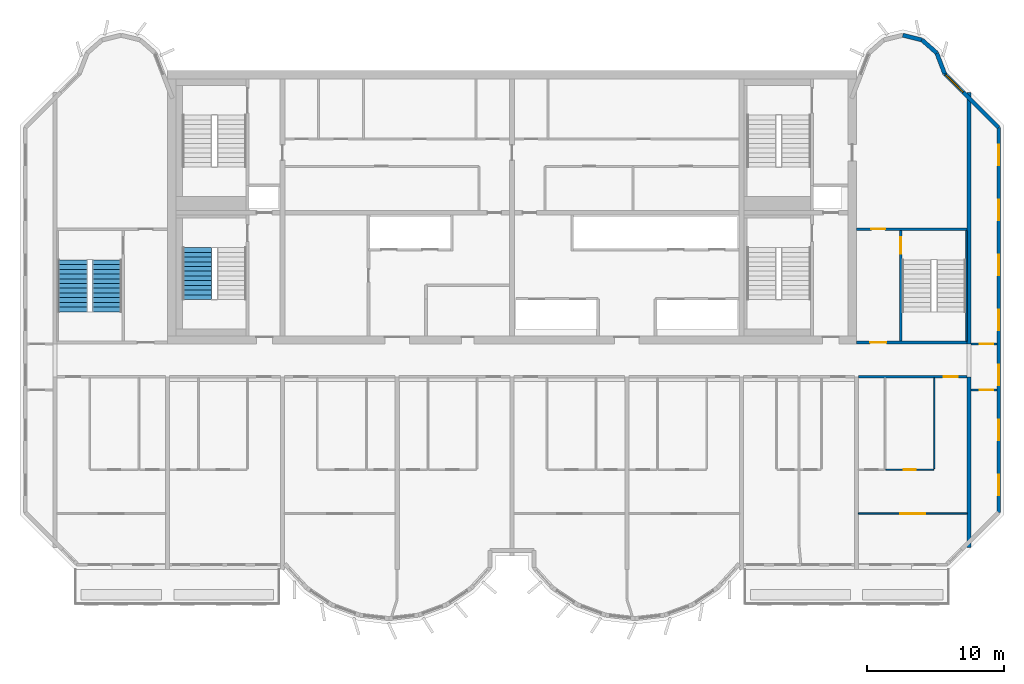
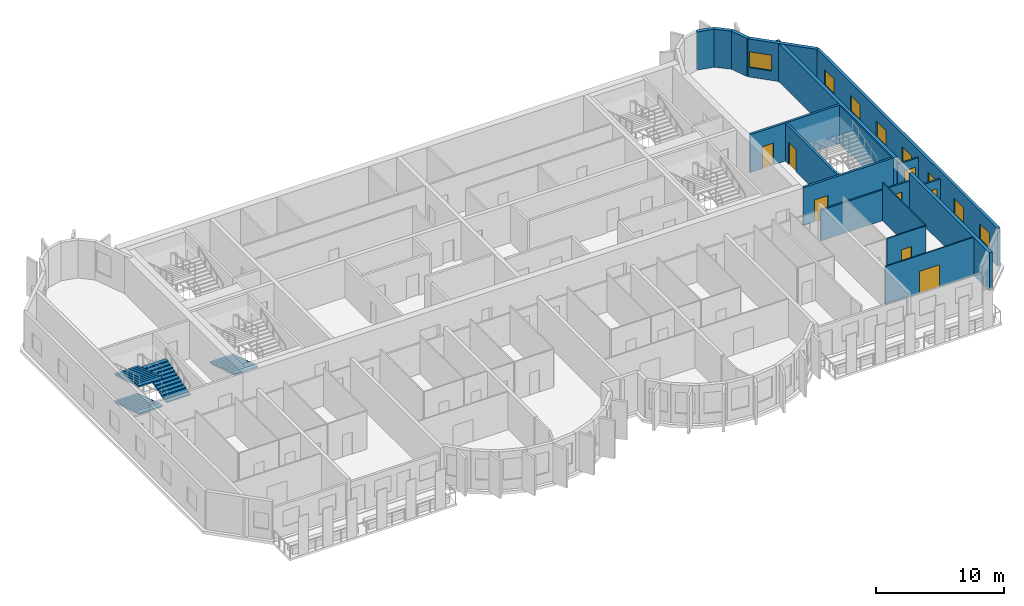
# One storey, part 8 of 11: 17 walls, 8 doors, 8 windows, 4 stair flights, 16 openings, 2 elements without a shape of their own.
"""IFC4 building model written with IfcOpenShell, lengths in metres."""

from ifc_helpers import new_model, si_unit, direction, frame, frame_2d, origin, place, context, subcontext, project, spatial, polyline, rectangle, outline, extrude, source, transform, mapped, material, layer, layer_set, type_object, element, fill, aggregate, save


model = new_model("IFC4")

# Units and contexts
model_context = context("Model", 3, precision=1e-05, world=origin(), true_north=direction((0.0, 1.0)))
body_context = subcontext(model_context, "Body", "Model", "MODEL_VIEW")
ifc_project = project(units=[si_unit("LENGTHUNIT", "METRE"), si_unit("AREAUNIT", "SQUARE_METRE"), si_unit("VOLUMEUNIT", "CUBIC_METRE"), si_unit("PLANEANGLEUNIT", "RADIAN"), si_unit("MASSUNIT", "GRAM", prefix="KILO")], contexts=[model_context])

# Site, building, storey
site_placement = place(None, origin())
site = spatial("IfcSite", under=ifc_project, at=site_placement, CompositionType="ELEMENT")
building_placement = place(site_placement, origin())
building = spatial("IfcBuilding", under=site, at=building_placement, Name="Vanashikhar Sky Hotel", CompositionType="ELEMENT")
storey_placement = place(building_placement, frame((0.0, 0.0, 249.10009765625)))
storey = spatial("IfcBuildingStorey", under=building, at=storey_placement, Name="L60", CompositionType="ELEMENT", Elevation=249.10009765625)

# Walls
ifc_material_1 = material(Name="Concrete M60", Category="concrete")
ifc_layer_1 = layer(ifc_material_1, 0.300048828125)
ifc_layer_set_1 = layer_set([ifc_layer_1], Name="RC shear wall 300 Concrete M60")
wall_type_1 = type_object("IfcWallType", Name="RC shear wall 300 Concrete M60", PredefinedType="SHEAR", material=ifc_layer_set_1)
shared_shape_1 = source(origin(), body_context, "Body", "SweptSolid", [
    extrude(rectangle(XDim=12.5, YDim=0.300048828125, at=frame_2d((6.25, 0.0))), origin(), (0.0, 0.0, 1.0), 3.619873046875),
])
wall_1_placement = place(storey_placement, frame((83.85009765625, 7.10009765625, 0.0), z_axis=(0.0, 0.0, 1.0), x_axis=(0.0, 1.0, 0.0)))
element("IfcWall", 1, at=wall_1_placement, inside=storey, type_object=wall_type_1, Name="CW-L60-XW11-1", PredefinedType="SHEAR", context=body_context, shape_type="MappedRepresentation", body=[
    mapped(shared_shape_1, transform((0.0, 0.0, 0.0), scale=1.0)),
])
shared_shape_2 = source(origin(), body_context, "Body", "SweptSolid", [
    extrude(rectangle(XDim=18.39990234375, YDim=0.300048828125, at=frame_2d((9.199951171875, 0.0))), origin(), (0.0, 0.0, 1.0), 3.619873046875),
])
wall_2_placement = place(storey_placement, frame((83.85009765625, 22.0, 0.0), z_axis=(0.0, 0.0, 1.0), x_axis=(0.0, 1.0, 0.0)))
element("IfcWall", 2, at=wall_2_placement, inside=storey, type_object=wall_type_1, Name="CW-L60-XW11-2", PredefinedType="SHEAR", context=body_context, shape_type="MappedRepresentation", body=[
    mapped(shared_shape_2, transform((0.0, 0.0, 0.0), scale=1.0)),
])

# Wall, opening, window
ifc_material_2 = material(Name="Concrete M50", Category="concrete")
ifc_layer_2 = layer(ifc_material_2, 0.300048828125)
ifc_layer_set_2 = layer_set([ifc_layer_2], Name="Lobe wall 300")
wall_type_2 = type_object("IfcWallType", Name="Lobe wall 300", PredefinedType="SOLIDWALL", material=ifc_layer_set_2)
shared_shape_3 = source(origin(), body_context, "Body", "SweptSolid", [
    extrude(rectangle(XDim=5.576416015625, YDim=0.300048828125, at=frame_2d((2.7880859375, 0.0))), origin(), (0.0, 0.0, 1.0), 3.619873046875),
])
wall_3_placement = place(storey_placement, frame((86.0, 37.834228515625, 0.0), z_axis=(0.0, 0.0, 1.0), x_axis=(-0.707106781187, 0.707106781187, 0.0)))
wall_3 = element("IfcWall", 3, at=wall_3_placement, inside=storey, type_object=wall_type_2, Name="Corner wall", PredefinedType="SOLIDWALL", context=body_context, shape_type="MappedRepresentation", body=[
    mapped(shared_shape_3, transform((0.0, 0.0, 0.0), scale=1.0)),
])
shared_shape_4 = source(origin(), body_context, "Body", "SweptSolid", [
    extrude(rectangle(XDim=1.800048828125, YDim=1.5, at=frame_2d((0.89990234375, 0.75))), frame((0.0, 0.16015625, 0.0), z_axis=(0.0, -1.0, 0.0), x_axis=(1.0, 0.0, 0.0)), (0.0, 0.0, 1.0), 0.320068359375),
])
opening_1_placement = place(wall_3_placement, frame((3.658447265625, 0.0, 0.89990234375)))
opening_1 = element("IfcOpeningElement", 4, at=opening_1_placement, cuts=wall_3, Name="Opening WN-4", PredefinedType="OPENING", context=body_context, shape_type="MappedRepresentation", body=[
    mapped(shared_shape_4, transform((0.0, 0.0, 0.0), scale=1.0)),
])
ifc_material_3 = material(Name="Glass", Category="glass")
window_type_1 = type_object("IfcWindowType", Name="Corner window 1800 x 1500", PartitioningType="SINGLE_PANEL", PredefinedType="WINDOW", material=ifc_material_3)
shared_shape_5 = source(origin(), body_context, "Body", "SweptSolid", [
    extrude(rectangle(XDim=1.800048828125, YDim=1.5, at=frame_2d((0.89990234375, 0.75))), frame((0.0, 0.030029296875, 0.0), z_axis=(0.0, -1.0, 0.0), x_axis=(1.0, 0.0, 0.0)), (0.0, 0.0, 1.0), 0.06005859375),
])
window_1_placement = place(opening_1_placement, origin())
window_1 = element("IfcWindow", 5, at=window_1_placement, inside=storey, type_object=window_type_1, Name="Window WN-4", OverallHeight=1.5, OverallWidth=1.800048828125, PartitioningType="SINGLE_PANEL", PredefinedType="WINDOW", context=body_context, shape_type="MappedRepresentation", body=[
    mapped(shared_shape_5, transform((0.0, 0.0, 0.0), scale=1.0)),
])
fill(opening_1, window_1)

# Walls
shared_shape_6 = source(origin(), body_context, "Body", "SweptSolid", [
    extrude(rectangle(XDim=1.438720703125, YDim=0.300048828125, at=frame_2d((0.71923828125, 0.0))), origin(), (0.0, 0.0, 1.0), 3.619873046875),
])
wall_4_placement = place(storey_placement, frame((80.397216796875, 44.2451171875, 0.0), z_axis=(0.0, 0.0, 1.0), x_axis=(-0.971161932466, 0.238420848351, 0.0)))
element("IfcWall", 6, at=wall_4_placement, inside=storey, type_object=wall_type_2, Name="Lobe wall", PredefinedType="SOLIDWALL", context=body_context, shape_type="MappedRepresentation", body=[
    mapped(shared_shape_6, transform((0.0, 0.0, 0.0), scale=1.0)),
])
shared_shape_7 = source(origin(), body_context, "Body", "SweptSolid", [
    extrude(rectangle(XDim=1.43994140625, YDim=0.300048828125, at=frame_2d((0.719970703125, 0.0))), origin(), (0.0, 0.0, 1.0), 3.619873046875),
])
wall_5_placement = place(storey_placement, frame((81.4765625, 43.2919921875, 0.0), z_axis=(0.0, 0.0, 1.0), x_axis=(-0.74957555648, 0.661918790432, 0.0)))
element("IfcWall", 7, at=wall_5_placement, inside=storey, type_object=wall_type_2, Name="Lobe wall", PredefinedType="SOLIDWALL", context=body_context, shape_type="MappedRepresentation", body=[
    mapped(shared_shape_7, transform((0.0, 0.0, 0.0), scale=1.0)),
])
shared_shape_8 = source(origin(), body_context, "Body", "SweptSolid", [
    extrude(rectangle(XDim=1.6220703125, YDim=0.300048828125, at=frame_2d((0.81103515625, 0.0))), origin(), (0.0, 0.0, 1.0), 3.619873046875),
])
wall_6_placement = place(storey_placement, frame((82.056884765625, 41.77734375, 0.0), z_axis=(0.0, 0.0, 1.0), x_axis=(-0.357778527068, 0.933806471154, 0.0)))
element("IfcWall", 8, at=wall_6_placement, inside=storey, type_object=wall_type_2, Name="Lobe wall", PredefinedType="SOLIDWALL", context=body_context, shape_type="MappedRepresentation", body=[
    mapped(shared_shape_8, transform((0.0, 0.0, 0.0), scale=1.0)),
])

# Wall, openings, windows
ifc_layer_3 = layer(ifc_material_2, 0.25)
ifc_layer_set_3 = layer_set([ifc_layer_3], Name="Rear and end board-marked wall 250")
wall_type_3 = type_object("IfcWallType", Name="Rear and end board-marked wall 250", PredefinedType="SOLIDWALL", material=ifc_layer_set_3)
shared_shape_9 = source(origin(), body_context, "Body", "SweptSolid", [
    extrude(rectangle(XDim=28.189453125, YDim=0.25, at=frame_2d((14.0947265625, 0.0))), origin(), (0.0, 0.0, 1.0), 3.619873046875),
])
wall_7_placement = place(storey_placement, frame((86.02490234375, 9.6552734375, 0.0), z_axis=(0.0, 0.0, 1.0), x_axis=(0.0, 1.0, 0.0)))
wall_7 = element("IfcWall", 9, at=wall_7_placement, inside=storey, type_object=wall_type_3, Name="End board-marked wall", PredefinedType="SOLIDWALL", context=body_context, shape_type="MappedRepresentation", body=[
    mapped(shared_shape_9, transform((0.0, 0.0, 0.0), scale=1.0)),
])
shared_shape_10 = source(origin(), body_context, "Body", "SweptSolid", [
    extrude(rectangle(XDim=1.5, YDim=1.5, at=frame_2d((0.75, 0.75))), frame((0.0, 0.135009765625, 0.0), z_axis=(0.0, -1.0, 0.0), x_axis=(1.0, 0.0, 0.0)), (0.0, 0.0, 1.0), 0.27001953125),
])
opening_2_placement = place(wall_7_placement, frame((1.263427734375, 0.0, 0.89990234375)))
opening_2 = element("IfcOpeningElement", 10, at=opening_2_placement, cuts=wall_7, Name="Opening WN-1", PredefinedType="OPENING", context=body_context, shape_type="MappedRepresentation", body=[
    mapped(shared_shape_10, transform((0.0, 0.0, 0.0), scale=1.0)),
])
opening_3_placement = place(wall_7_placement, frame((5.29052734375, 0.0, 0.89990234375)))
opening_3 = element("IfcOpeningElement", 11, at=opening_3_placement, cuts=wall_7, Name="Opening WN-1", PredefinedType="OPENING", context=body_context, shape_type="MappedRepresentation", body=[
    mapped(shared_shape_10, transform((0.0, 0.0, 0.0), scale=1.0)),
])
opening_4_placement = place(wall_7_placement, frame((9.317626953125, 0.0, 0.89990234375)))
opening_4 = element("IfcOpeningElement", 12, at=opening_4_placement, cuts=wall_7, Name="Opening WN-1", PredefinedType="OPENING", context=body_context, shape_type="MappedRepresentation", body=[
    mapped(shared_shape_10, transform((0.0, 0.0, 0.0), scale=1.0)),
])
opening_5_placement = place(wall_7_placement, frame((13.3447265625, 0.0, 0.89990234375)))
opening_5 = element("IfcOpeningElement", 13, at=opening_5_placement, cuts=wall_7, Name="Opening WN-1", PredefinedType="OPENING", context=body_context, shape_type="MappedRepresentation", body=[
    mapped(shared_shape_10, transform((0.0, 0.0, 0.0), scale=1.0)),
])
opening_6_placement = place(wall_7_placement, frame((17.371826171875, 0.0, 0.89990234375)))
opening_6 = element("IfcOpeningElement", 14, at=opening_6_placement, cuts=wall_7, Name="Opening WN-1", PredefinedType="OPENING", context=body_context, shape_type="MappedRepresentation", body=[
    mapped(shared_shape_10, transform((0.0, 0.0, 0.0), scale=1.0)),
])
opening_7_placement = place(wall_7_placement, frame((21.398681640625, 0.0, 0.89990234375)))
opening_7 = element("IfcOpeningElement", 15, at=opening_7_placement, cuts=wall_7, Name="Opening WN-1", PredefinedType="OPENING", context=body_context, shape_type="MappedRepresentation", body=[
    mapped(shared_shape_10, transform((0.0, 0.0, 0.0), scale=1.0)),
])
opening_8_placement = place(wall_7_placement, frame((25.42578125, 0.0, 0.89990234375)))
opening_8 = element("IfcOpeningElement", 16, at=opening_8_placement, cuts=wall_7, Name="Opening WN-1", PredefinedType="OPENING", context=body_context, shape_type="MappedRepresentation", body=[
    mapped(shared_shape_10, transform((0.0, 0.0, 0.0), scale=1.0)),
])
window_type_2 = type_object("IfcWindowType", Name="Window 1500 x 1500", PartitioningType="SINGLE_PANEL", PredefinedType="WINDOW", material=ifc_material_3)
shared_shape_11 = source(origin(), body_context, "Body", "SweptSolid", [
    extrude(rectangle(XDim=1.5, YDim=1.5, at=frame_2d((0.75, 0.75))), frame((0.0, 0.030029296875, 0.0), z_axis=(0.0, -1.0, 0.0), x_axis=(1.0, 0.0, 0.0)), (0.0, 0.0, 1.0), 0.06005859375),
])
window_2_placement = place(opening_2_placement, origin())
window_2 = element("IfcWindow", 17, at=window_2_placement, inside=storey, type_object=window_type_2, Name="Window WN-1", OverallHeight=1.5, OverallWidth=1.5, PartitioningType="SINGLE_PANEL", PredefinedType="WINDOW", context=body_context, shape_type="MappedRepresentation", body=[
    mapped(shared_shape_11, transform((0.0, 0.0, 0.0), scale=1.0)),
])
fill(opening_2, window_2)
window_3_placement = place(opening_3_placement, origin())
window_3 = element("IfcWindow", 18, at=window_3_placement, inside=storey, type_object=window_type_2, Name="Window WN-1", OverallHeight=1.5, OverallWidth=1.5, PartitioningType="SINGLE_PANEL", PredefinedType="WINDOW", context=body_context, shape_type="MappedRepresentation", body=[
    mapped(shared_shape_11, transform((0.0, 0.0, 0.0), scale=1.0)),
])
fill(opening_3, window_3)
window_4_placement = place(opening_4_placement, origin())
window_4 = element("IfcWindow", 19, at=window_4_placement, inside=storey, type_object=window_type_2, Name="Window WN-1", OverallHeight=1.5, OverallWidth=1.5, PartitioningType="SINGLE_PANEL", PredefinedType="WINDOW", context=body_context, shape_type="MappedRepresentation", body=[
    mapped(shared_shape_11, transform((0.0, 0.0, 0.0), scale=1.0)),
])
fill(opening_4, window_4)
window_5_placement = place(opening_5_placement, origin())
window_5 = element("IfcWindow", 20, at=window_5_placement, inside=storey, type_object=window_type_2, Name="Window WN-1", OverallHeight=1.5, OverallWidth=1.5, PartitioningType="SINGLE_PANEL", PredefinedType="WINDOW", context=body_context, shape_type="MappedRepresentation", body=[
    mapped(shared_shape_11, transform((0.0, 0.0, 0.0), scale=1.0)),
])
fill(opening_5, window_5)
window_6_placement = place(opening_6_placement, origin())
window_6 = element("IfcWindow", 21, at=window_6_placement, inside=storey, type_object=window_type_2, Name="Window WN-1", OverallHeight=1.5, OverallWidth=1.5, PartitioningType="SINGLE_PANEL", PredefinedType="WINDOW", context=body_context, shape_type="MappedRepresentation", body=[
    mapped(shared_shape_11, transform((0.0, 0.0, 0.0), scale=1.0)),
])
fill(opening_6, window_6)
window_7_placement = place(opening_7_placement, origin())
window_7 = element("IfcWindow", 22, at=window_7_placement, inside=storey, type_object=window_type_2, Name="Window WN-1", OverallHeight=1.5, OverallWidth=1.5, PartitioningType="SINGLE_PANEL", PredefinedType="WINDOW", context=body_context, shape_type="MappedRepresentation", body=[
    mapped(shared_shape_11, transform((0.0, 0.0, 0.0), scale=1.0)),
])
fill(opening_7, window_7)
window_8_placement = place(opening_8_placement, origin())
window_8 = element("IfcWindow", 23, at=window_8_placement, inside=storey, type_object=window_type_2, Name="Window WN-1", OverallHeight=1.5, OverallWidth=1.5, PartitioningType="SINGLE_PANEL", PredefinedType="WINDOW", context=body_context, shape_type="MappedRepresentation", body=[
    mapped(shared_shape_11, transform((0.0, 0.0, 0.0), scale=1.0)),
])
fill(opening_8, window_8)

# Wall, opening, door
ifc_layer_4 = layer(ifc_material_2, 0.199951171875)
ifc_layer_set_4 = layer_set([ifc_layer_4], Name="Stair wall 200")
wall_type_4 = type_object("IfcWallType", Name="Stair wall 200", PredefinedType="SOLIDWALL", material=ifc_layer_set_4)
shared_shape_12 = source(origin(), body_context, "Body", "SweptSolid", [
    extrude(rectangle(XDim=8.2998046875, YDim=0.199951171875, at=frame_2d((4.14990234375, 0.0))), origin(), (0.0, 0.0, 1.0), 3.619873046875),
])
wall_8_placement = place(storey_placement, frame((78.85009765625, 22.10009765625, 0.0), z_axis=(0.0, 0.0, 1.0), x_axis=(0.0, 1.0, 0.0)))
wall_8 = element("IfcWall", 24, at=wall_8_placement, inside=storey, type_object=wall_type_4, Name="Stair wall 200", PredefinedType="SOLIDWALL", context=body_context, shape_type="MappedRepresentation", body=[
    mapped(shared_shape_12, transform((0.0, 0.0, 0.0), scale=1.0)),
])
shared_shape_13 = source(origin(), body_context, "Body", "SweptSolid", [
    extrude(rectangle(XDim=1.199951171875, YDim=2.10009765625, at=frame_2d((0.60009765625, 1.050048828125))), frame((0.0, 0.10986328125, 0.0), z_axis=(0.0, -1.0, 0.0), x_axis=(1.0, 0.0, 0.0)), (0.0, 0.0, 1.0), 0.219970703125),
])
opening_9_placement = place(wall_8_placement, frame((6.5, 0.0, 0.0)))
opening_9 = element("IfcOpeningElement", 25, at=opening_9_placement, cuts=wall_8, Name="Opening DC-1", PredefinedType="OPENING", context=body_context, shape_type="MappedRepresentation", body=[
    mapped(shared_shape_13, transform((0.0, 0.0, 0.0), scale=1.0)),
])
ifc_material_4 = material(Name="Steel", Category="steel")
door_type_1 = type_object("IfcDoorType", Name="Stair door 1200 FD120", OperationType="NOTDEFINED", PredefinedType="DOOR", material=ifc_material_4)
shared_shape_14 = source(origin(), body_context, "Body", "SweptSolid", [
    extrude(rectangle(XDim=1.199951171875, YDim=2.10009765625, at=frame_2d((0.60009765625, 1.050048828125))), frame((0.0, 0.02490234375, 0.0), z_axis=(0.0, -1.0, 0.0), x_axis=(1.0, 0.0, 0.0)), (0.0, 0.0, 1.0), 0.050048828125),
])
door_1_placement = place(opening_9_placement, origin())
door_1 = element("IfcDoor", 26, at=door_1_placement, inside=storey, type_object=door_type_1, Name="Stair door 1200 FD120", OperationType="SINGLE_SWING_RIGHT", OverallHeight=2.10009765625, OverallWidth=1.199951171875, PredefinedType="DOOR", context=body_context, shape_type="MappedRepresentation", body=[
    mapped(shared_shape_14, transform((0.0, 0.0, 0.0), scale=1.0)),
])
fill(opening_9, door_1)

shared_shape_15 = source(origin(), body_context, "Body", "SweptSolid", [
    extrude(rectangle(XDim=8.099853515625, YDim=0.199951171875, at=frame_2d((4.0498046875, 0.0))), origin(), (0.0, 0.0, 1.0), 3.619873046875),
])
wall_9_placement = place(storey_placement, frame((83.699951171875, 22.10009765625, 0.0), z_axis=(0.0, 0.0, 1.0), x_axis=(-1.0, 0.0, 0.0)))
wall_9 = element("IfcWall", 27, at=wall_9_placement, inside=storey, type_object=wall_type_4, Name="Stair wall 200", PredefinedType="SOLIDWALL", context=body_context, shape_type="MappedRepresentation", body=[
    mapped(shared_shape_15, transform((0.0, 0.0, 0.0), scale=1.0)),
])
opening_10_placement = place(wall_9_placement, frame((5.89990234375, 0.0, 0.0)))
opening_10 = element("IfcOpeningElement", 28, at=opening_10_placement, cuts=wall_9, Name="Opening DC-2", PredefinedType="OPENING", context=body_context, shape_type="MappedRepresentation", body=[
    mapped(shared_shape_13, transform((0.0, 0.0, 0.0), scale=1.0)),
])
door_type_2 = type_object("IfcDoorType", Name="Firefighting lobby door 1200 FD120", OperationType="NOTDEFINED", PredefinedType="DOOR", material=ifc_material_4)
door_2_placement = place(opening_10_placement, origin())
door_2 = element("IfcDoor", 29, at=door_2_placement, inside=storey, type_object=door_type_2, Name="Firefighting lobby door 1200 FD120", OperationType="SINGLE_SWING_RIGHT", OverallHeight=2.10009765625, OverallWidth=1.199951171875, PredefinedType="DOOR", context=body_context, shape_type="MappedRepresentation", body=[
    mapped(shared_shape_14, transform((0.0, 0.0, 0.0), scale=1.0)),
])
fill(opening_10, door_2)

wall_10_placement = place(storey_placement, frame((83.699951171875, 30.39990234375, 0.0), z_axis=(0.0, 0.0, 1.0), x_axis=(-1.0, 0.0, 0.0)))
wall_10 = element("IfcWall", 30, at=wall_10_placement, inside=storey, type_object=wall_type_4, Name="Stair wall 200", PredefinedType="SOLIDWALL", context=body_context, shape_type="MappedRepresentation", body=[
    mapped(shared_shape_15, transform((0.0, 0.0, 0.0), scale=1.0)),
])
shared_shape_16 = source(origin(), body_context, "Body", "SweptSolid", [
    extrude(rectangle(XDim=1.0, YDim=2.10009765625, at=frame_2d((0.5, 1.050048828125))), frame((0.0, 0.10986328125, 0.0), z_axis=(0.0, -1.0, 0.0), x_axis=(1.0, 0.0, 0.0)), (0.0, 0.0, 1.0), 0.219970703125),
])
opening_11_placement = place(wall_10_placement, frame((6.0, 0.0, 0.0)))
opening_11 = element("IfcOpeningElement", 31, at=opening_11_placement, cuts=wall_10, Name="Opening DC-6", PredefinedType="OPENING", context=body_context, shape_type="MappedRepresentation", body=[
    mapped(shared_shape_16, transform((0.0, 0.0, 0.0), scale=1.0)),
])
door_type_3 = type_object("IfcDoorType", Name="Pocket door 1000 FD60", OperationType="NOTDEFINED", PredefinedType="DOOR", material=ifc_material_4)
shared_shape_17 = source(origin(), body_context, "Body", "SweptSolid", [
    extrude(rectangle(XDim=1.0, YDim=2.10009765625, at=frame_2d((0.5, 1.050048828125))), frame((0.0, 0.02490234375, 0.0), z_axis=(0.0, -1.0, 0.0), x_axis=(1.0, 0.0, 0.0)), (0.0, 0.0, 1.0), 0.050048828125),
])
door_3_placement = place(opening_11_placement, origin())
door_3 = element("IfcDoor", 32, at=door_3_placement, inside=storey, type_object=door_type_3, Name="Pocket door 1000 FD60", OperationType="SINGLE_SWING_RIGHT", OverallHeight=2.10009765625, OverallWidth=1.0, PredefinedType="DOOR", context=body_context, shape_type="MappedRepresentation", body=[
    mapped(shared_shape_17, transform((0.0, 0.0, 0.0), scale=1.0)),
])
fill(opening_11, door_3)

# Wall
ifc_layer_5 = layer(ifc_material_2, 0.10009765625)
ifc_layer_set_5 = layer_set([ifc_layer_5], Name="Stair infill wall 100")
wall_type_5 = type_object("IfcWallType", Name="Stair infill wall 100", PredefinedType="SOLIDWALL", material=ifc_layer_set_5)
shared_shape_18 = source(origin(), body_context, "Body", "SweptSolid", [
    extrude(rectangle(XDim=8.10009765625, YDim=0.10009765625, at=frame_2d((4.050048828125, 0.0))), origin(), (0.0, 0.0, 1.0), 3.619873046875),
])
wall_11_placement = place(storey_placement, frame((83.64990234375, 22.199951171875, 0.0), z_axis=(0.0, 0.0, 1.0), x_axis=(0.0, 1.0, 0.0)))
element("IfcWall", 33, at=wall_11_placement, inside=storey, type_object=wall_type_5, Name="Stair infill wall 100", PredefinedType="SOLIDWALL", context=body_context, shape_type="MappedRepresentation", body=[
    mapped(shared_shape_18, transform((0.0, 0.0, 0.0), scale=1.0)),
])

# Wall, opening, door
ifc_material_5 = material(Name="Gypsum plasterboard partition")
ifc_layer_6 = layer(ifc_material_5, 0.14990234375)
ifc_layer_set_6 = layer_set([ifc_layer_6], Name="Corridor and demising partition 150")
wall_type_6 = type_object("IfcWallType", Name="Corridor and demising partition 150", PredefinedType="PARTITIONING", material=ifc_layer_set_6)
shared_shape_19 = source(origin(), body_context, "Body", "SweptSolid", [
    extrude(rectangle(XDim=7.949951171875, YDim=0.14990234375, at=frame_2d((3.97509765625, 0.0))), origin(), (0.0, 0.0, 1.0), 2.919921875),
])
wall_12_placement = place(storey_placement, frame((75.75, 19.60009765625, 0.0), z_axis=(0.0, 0.0, 1.0), x_axis=(1.0, 0.0, 0.0)))
wall_12 = element("IfcWall", 34, at=wall_12_placement, inside=storey, type_object=wall_type_6, Name="W-L60-PW047", PredefinedType="PARTITIONING", context=body_context, shape_type="MappedRepresentation", body=[
    mapped(shared_shape_19, transform((0.0, 0.0, 0.0), scale=1.0)),
])
shared_shape_20 = source(origin(), body_context, "Body", "SweptSolid", [
    extrude(rectangle(XDim=1.0, YDim=2.10009765625, at=frame_2d((0.5, 1.050048828125))), frame((0.0, 0.0849609375, 0.0), z_axis=(0.0, -1.0, 0.0), x_axis=(1.0, 0.0, 0.0)), (0.0, 0.0, 1.0), 0.169921875),
])
opening_12_placement = place(wall_12_placement, frame((6.25, 0.0, 0.0)))
opening_12 = element("IfcOpeningElement", 35, at=opening_12_placement, cuts=wall_12, Name="Opening D-01", PredefinedType="OPENING", context=body_context, shape_type="MappedRepresentation", body=[
    mapped(shared_shape_20, transform((0.0, 0.0, 0.0), scale=1.0)),
])
ifc_material_6 = material(Name="Timber fire door", Category="wood")
door_type_4 = type_object("IfcDoorType", Name="Guest entry door 1000 FD30S", OperationType="NOTDEFINED", PredefinedType="DOOR", material=ifc_material_6)
door_4_placement = place(opening_12_placement, origin())
door_4 = element("IfcDoor", 36, at=door_4_placement, inside=storey, type_object=door_type_4, Name="D-L60-030", OperationType="SINGLE_SWING_RIGHT", OverallHeight=2.10009765625, OverallWidth=1.0, PredefinedType="DOOR", context=body_context, shape_type="MappedRepresentation", body=[
    mapped(shared_shape_17, transform((0.0, 0.0, 0.0), scale=1.0)),
])
fill(opening_12, door_4)

shared_shape_21 = source(origin(), body_context, "Body", "SweptSolid", [
    extrude(rectangle(XDim=1.89990234375, YDim=0.14990234375, at=frame_2d((0.949951171875, 0.0))), origin(), (0.0, 0.0, 1.0), 2.919921875),
])
wall_13_placement = place(storey_placement, frame((84.0, 22.0, 0.0), z_axis=(0.0, 0.0, 1.0), x_axis=(1.0, 0.0, 0.0)))
wall_13 = element("IfcWall", 37, at=wall_13_placement, inside=storey, type_object=wall_type_6, Name="W-L60-PW051", PredefinedType="PARTITIONING", context=body_context, shape_type="MappedRepresentation", body=[
    mapped(shared_shape_21, transform((0.0, 0.0, 0.0), scale=1.0)),
])
opening_13_placement = place(wall_13_placement, frame((0.625, 0.0, 0.0)))
opening_13 = element("IfcOpeningElement", 38, at=opening_13_placement, cuts=wall_13, Name="Opening D-01", PredefinedType="OPENING", context=body_context, shape_type="MappedRepresentation", body=[
    mapped(shared_shape_20, transform((0.0, 0.0, 0.0), scale=1.0)),
])
door_5_placement = place(opening_13_placement, origin())
door_5 = element("IfcDoor", 39, at=door_5_placement, inside=storey, type_object=door_type_4, Name="D-L60-032", OperationType="SINGLE_SWING_RIGHT", OverallHeight=2.10009765625, OverallWidth=1.0, PredefinedType="DOOR", context=body_context, shape_type="MappedRepresentation", body=[
    mapped(shared_shape_17, transform((0.0, 0.0, 0.0), scale=1.0)),
])
fill(opening_13, door_5)

wall_14_placement = place(storey_placement, frame((84.0, 18.6279296875, 0.0), z_axis=(0.0, 0.0, 1.0), x_axis=(1.0, 0.0, 0.0)))
wall_14 = element("IfcWall", 40, at=wall_14_placement, inside=storey, type_object=wall_type_6, Name="W-L60-PW053", PredefinedType="PARTITIONING", context=body_context, shape_type="MappedRepresentation", body=[
    mapped(shared_shape_21, transform((0.0, 0.0, 0.0), scale=1.0)),
])
opening_14_placement = place(wall_14_placement, frame((0.625, 0.0, 0.0)))
opening_14 = element("IfcOpeningElement", 41, at=opening_14_placement, cuts=wall_14, Name="Opening D-01", PredefinedType="OPENING", context=body_context, shape_type="MappedRepresentation", body=[
    mapped(shared_shape_20, transform((0.0, 0.0, 0.0), scale=1.0)),
])
door_6_placement = place(opening_14_placement, origin())
door_6 = element("IfcDoor", 42, at=door_6_placement, inside=storey, type_object=door_type_4, Name="D-L60-034", OperationType="SINGLE_SWING_RIGHT", OverallHeight=2.10009765625, OverallWidth=1.0, PredefinedType="DOOR", context=body_context, shape_type="MappedRepresentation", body=[
    mapped(shared_shape_17, transform((0.0, 0.0, 0.0), scale=1.0)),
])
fill(opening_14, door_6)

ifc_layer_7 = layer(ifc_material_5, 0.10009765625)
ifc_layer_set_7 = layer_set([ifc_layer_7], Name="Wet room partition 100")
wall_type_7 = type_object("IfcWallType", Name="Wet room partition 100", PredefinedType="PARTITIONING", material=ifc_layer_set_7)
shared_shape_22 = source(origin(), body_context, "Body", "SweptSolid", [
    extrude(rectangle(XDim=3.5, YDim=0.10009765625, at=frame_2d((1.75, 0.0))), origin(), (0.0, 0.0, 1.0), 3.619873046875),
])
wall_15_placement = place(storey_placement, frame((77.75, 12.800048828125, 0.0), z_axis=(0.0, 0.0, 1.0), x_axis=(1.0, 0.0, 0.0)))
wall_15 = element("IfcWall", 43, at=wall_15_placement, inside=storey, type_object=wall_type_7, Name="W-L60-PW044", PredefinedType="PARTITIONING", context=body_context, shape_type="MappedRepresentation", body=[
    mapped(shared_shape_22, transform((0.0, 0.0, 0.0), scale=1.0)),
])
shared_shape_23 = source(origin(), body_context, "Body", "SweptSolid", [
    extrude(rectangle(XDim=0.89990234375, YDim=2.10009765625, at=frame_2d((0.449951171875, 1.050048828125))), frame((0.0, 0.06005859375, 0.0), z_axis=(0.0, -1.0, 0.0), x_axis=(1.0, 0.0, 0.0)), (0.0, 0.0, 1.0), 0.1201171875),
])
opening_15_placement = place(wall_15_placement, frame((1.300048828125, 0.0, 0.0)))
opening_15 = element("IfcOpeningElement", 44, at=opening_15_placement, cuts=wall_15, Name="Opening D-02", PredefinedType="OPENING", context=body_context, shape_type="MappedRepresentation", body=[
    mapped(shared_shape_23, transform((0.0, 0.0, 0.0), scale=1.0)),
])
ifc_material_7 = material(Name="Timber door", Category="wood")
door_type_5 = type_object("IfcDoorType", Name="Internal door 900", OperationType="NOTDEFINED", PredefinedType="DOOR", material=ifc_material_7)
shared_shape_24 = source(origin(), body_context, "Body", "SweptSolid", [
    extrude(rectangle(XDim=0.89990234375, YDim=2.10009765625, at=frame_2d((0.449951171875, 1.050048828125))), frame((0.0, 0.02490234375, 0.0), z_axis=(0.0, -1.0, 0.0), x_axis=(1.0, 0.0, 0.0)), (0.0, 0.0, 1.0), 0.050048828125),
])
door_7_placement = place(opening_15_placement, origin())
door_7 = element("IfcDoor", 45, at=door_7_placement, inside=storey, type_object=door_type_5, Name="D-L60-027", OperationType="SINGLE_SWING_RIGHT", OverallHeight=2.10009765625, OverallWidth=0.89990234375, PredefinedType="DOOR", context=body_context, shape_type="MappedRepresentation", body=[
    mapped(shared_shape_24, transform((0.0, 0.0, 0.0), scale=1.0)),
])
fill(opening_15, door_7)

# Wall
shared_shape_25 = source(origin(), body_context, "Body", "SweptSolid", [
    extrude(rectangle(XDim=6.64990234375, YDim=0.10009765625, at=frame_2d((3.324951171875, 0.0))), origin(), (0.0, 0.0, 1.0), 3.619873046875),
])
wall_16_placement = place(storey_placement, frame((81.300048828125, 12.875, 0.0), z_axis=(0.0, 0.0, 1.0), x_axis=(0.0, 1.0, 0.0)))
element("IfcWall", 46, at=wall_16_placement, inside=storey, type_object=wall_type_7, Name="W-L60-PW042", PredefinedType="PARTITIONING", context=body_context, shape_type="MappedRepresentation", body=[
    mapped(shared_shape_25, transform((0.0, 0.0, 0.0), scale=1.0)),
])

# Wall, opening, door
shared_shape_26 = source(origin(), body_context, "Body", "SweptSolid", [
    extrude(rectangle(XDim=7.949951171875, YDim=0.10009765625, at=frame_2d((3.97509765625, 0.0))), origin(), (0.0, 0.0, 1.0), 3.619873046875),
])
wall_17_placement = place(storey_placement, frame((75.75, 9.58203125, 0.0), z_axis=(0.0, 0.0, 1.0), x_axis=(1.0, 0.0, 0.0)))
wall_17 = element("IfcWall", 47, at=wall_17_placement, inside=storey, type_object=wall_type_7, Name="W-L60-PW046", PredefinedType="PARTITIONING", context=body_context, shape_type="MappedRepresentation", body=[
    mapped(shared_shape_26, transform((0.0, 0.0, 0.0), scale=1.0)),
])
shared_shape_27 = source(origin(), body_context, "Body", "SweptSolid", [
    extrude(rectangle(XDim=1.800048828125, YDim=2.10009765625, at=frame_2d((0.89990234375, 1.050048828125))), frame((0.0, 0.06005859375, 0.0), z_axis=(0.0, -1.0, 0.0), x_axis=(1.0, 0.0, 0.0)), (0.0, 0.0, 1.0), 0.1201171875),
])
opening_16_placement = place(wall_17_placement, frame((3.074951171875, 0.0, 0.0)))
opening_16 = element("IfcOpeningElement", 48, at=opening_16_placement, cuts=wall_17, Name="Opening D-08", PredefinedType="OPENING", context=body_context, shape_type="MappedRepresentation", body=[
    mapped(shared_shape_27, transform((0.0, 0.0, 0.0), scale=1.0)),
])
door_type_6 = type_object("IfcDoorType", Name="Double leaf door 1800", OperationType="NOTDEFINED", PredefinedType="DOOR", material=ifc_material_7)
shared_shape_28 = source(origin(), body_context, "Body", "SweptSolid", [
    extrude(rectangle(XDim=1.800048828125, YDim=2.10009765625, at=frame_2d((0.89990234375, 1.050048828125))), frame((0.0, 0.02490234375, 0.0), z_axis=(0.0, -1.0, 0.0), x_axis=(1.0, 0.0, 0.0)), (0.0, 0.0, 1.0), 0.050048828125),
])
door_8_placement = place(opening_16_placement, origin())
door_8 = element("IfcDoor", 49, at=door_8_placement, inside=storey, type_object=door_type_6, Name="D-L60-029", OperationType="DOUBLE_DOOR_SINGLE_SWING", OverallHeight=2.10009765625, OverallWidth=1.800048828125, PredefinedType="DOOR", context=body_context, shape_type="MappedRepresentation", body=[
    mapped(shared_shape_28, transform((0.0, 0.0, 0.0), scale=1.0)),
])
fill(opening_16, door_8)

# Stair, stair flight
ifc_material_8 = material(Name="Concrete M40", Category="concrete")
stair_type = type_object("IfcStairType", Name="Exit stair 2150", PredefinedType="DOUBLE_RETURN_STAIR", material=ifc_material_8)
stair_1_placement = place(storey_placement, origin())
stair_1 = element("IfcStair", 50, at=stair_1_placement, inside=storey, type_object=stair_type, Name="L60 Exit stair 1", PredefinedType="DOUBLE_RETURN_STAIR")
stair_flight_type = type_object("IfcStairFlightType", Name="Stair flight 2150", PredefinedType="STRAIGHT", material=ifc_material_8)
shared_shape_29 = source(origin(), body_context, "Body", "SweptSolid", [
    extrude(outline(polyline([(0.0, 0.0), (0.0, 0.1083984375), (0.345458984375, 0.1083984375), (0.345458984375, 0.216552734375), (0.69091796875, 0.216552734375), (0.69091796875, 0.324951171875), (1.036376953125, 0.324951171875), (1.036376953125, 0.433349609375), (1.3818359375, 0.433349609375), (1.3818359375, 0.541748046875), (1.727294921875, 0.541748046875), (1.727294921875, 0.64990234375), (2.07275390625, 0.64990234375), (2.07275390625, 0.75830078125), (2.418212890625, 0.75830078125), (2.418212890625, 0.86669921875), (2.763671875, 0.86669921875), (2.763671875, 0.97509765625), (3.109130859375, 0.97509765625), (3.109130859375, 1.083251953125), (3.45458984375, 1.083251953125), (3.45458984375, 1.191650390625), (3.800048828125, 1.191650390625), (3.800048828125, 1.300048828125), (3.800048828125, 1.065673828125), (0.4013671875, 0.0), (0.0, 0.0)])), frame((0.0, 1.074951171875, 0.0), z_axis=(0.0, -1.0, 0.0), x_axis=(1.0, 0.0, 0.0)), (0.0, 0.0, 1.0), 2.14990234375),
])
stair_flight_1_placement = place(storey_placement, frame((27.375, 29.050048828125, 0.0), z_axis=(0.0, 0.0, 1.0), x_axis=(0.0, -1.0, 0.0)))
stair_flight_1 = element("IfcStairFlight", 51, at=stair_flight_1_placement, type_object=stair_flight_type, Name="ST-C1 flight 1", NumberOfRisers=12, NumberOfTreads=11, PredefinedType="STRAIGHT", RiserHeight=0.108333333, TreadLength=0.345454545, context=body_context, shape_type="MappedRepresentation", body=[
    mapped(shared_shape_29, transform((0.0, 0.0, 0.0), scale=1.0)),
])
aggregate(stair_1, [stair_flight_1])

# Stair, stair flights
stair_2_placement = place(storey_placement, origin())
stair_2 = element("IfcStair", 52, at=stair_2_placement, inside=storey, type_object=stair_type, Name="L60 Exit stair 3", PredefinedType="DOUBLE_RETURN_STAIR")
stair_flight_2_placement = place(storey_placement, frame((18.27490234375, 28.14990234375, 0.0), z_axis=(0.0, 0.0, 1.0), x_axis=(0.0, -1.0, 0.0)))
stair_flight_2 = element("IfcStairFlight", 53, at=stair_flight_2_placement, type_object=stair_flight_type, Name="ST-W flight 1", NumberOfRisers=12, NumberOfTreads=11, PredefinedType="STRAIGHT", RiserHeight=0.108333333, TreadLength=0.345454545, context=body_context, shape_type="MappedRepresentation", body=[
    mapped(shared_shape_29, transform((0.0, 0.0, 0.0), scale=1.0)),
])
stair_flight_3_placement = place(storey_placement, frame((20.77490234375, 24.35009765625, 1.2998046875), z_axis=(0.0, 0.0, 1.0), x_axis=(0.0, 1.0, 0.0)))
stair_flight_3 = element("IfcStairFlight", 54, at=stair_flight_3_placement, type_object=stair_flight_type, Name="ST-W flight 2", NumberOfRisers=12, NumberOfTreads=11, PredefinedType="STRAIGHT", RiserHeight=0.108333333, TreadLength=0.345454545, context=body_context, shape_type="MappedRepresentation", body=[
    mapped(shared_shape_29, transform((0.0, 0.0, 0.0), scale=1.0)),
])
stair_flight_4_placement = place(storey_placement, frame((18.27490234375, 28.14990234375, 2.599853515625), z_axis=(0.0, 0.0, 1.0), x_axis=(0.0, -1.0, 0.0)))
stair_flight_4 = element("IfcStairFlight", 55, at=stair_flight_4_placement, type_object=stair_flight_type, Name="ST-W flight 3", NumberOfRisers=12, NumberOfTreads=11, PredefinedType="STRAIGHT", RiserHeight=0.108333333, TreadLength=0.345454545, context=body_context, shape_type="MappedRepresentation", body=[
    mapped(shared_shape_29, transform((0.0, 0.0, 0.0), scale=1.0)),
])
aggregate(stair_2, [stair_flight_2, stair_flight_3, stair_flight_4])

save(model, "model.ifc")
